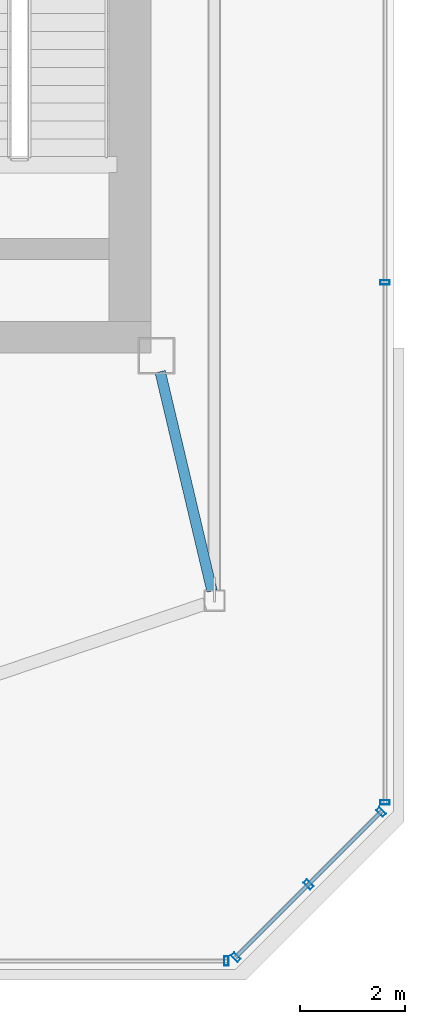
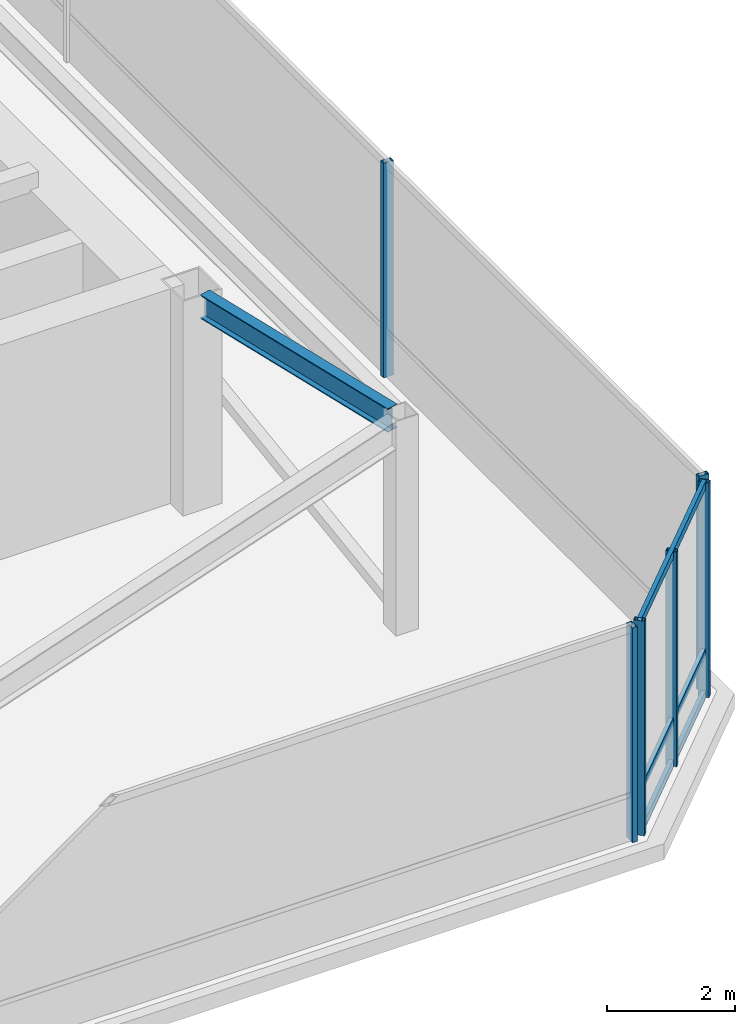
# One storey, part 10 of 21: 9 members, 1 beam, 3 elements without a shape of their own.
"""IFC4 building model written with IfcOpenShell, lengths in metres."""

from ifc_helpers import new_model, si_unit, direction, frame, origin, origin_2d, place, context, subcontext, project, spatial, hollow_rectangle, i_section, extrude, material, layer, layer_set, material_profile, profile_set, type_object, element, aggregate, save


model = new_model("IFC4")

# Units and contexts
model_context = context("Model", 3, precision=1e-05, world=origin(), true_north=direction((0.0, 1.0)))
body_context = subcontext(model_context, "Body", "Model", "MODEL_VIEW")
ifc_project = project(units=[si_unit("LENGTHUNIT", "METRE"), si_unit("AREAUNIT", "SQUARE_METRE"), si_unit("VOLUMEUNIT", "CUBIC_METRE"), si_unit("PLANEANGLEUNIT", "RADIAN"), si_unit("MASSUNIT", "GRAM", prefix="KILO")], contexts=[model_context])

# Site, building, storey
site_placement = place(None, origin())
site = spatial("IfcSite", under=ifc_project, at=site_placement, CompositionType="ELEMENT")
building_placement = place(site_placement, origin())
building = spatial("IfcBuilding", under=site, at=building_placement, Name="Tavrogorsk Clinical Tower", CompositionType="ELEMENT")
storey_placement = place(building_placement, frame((0.0, 0.0, 344.199951171875)))
storey = spatial("IfcBuildingStorey", under=building, at=storey_placement, Name="L80", CompositionType="ELEMENT", Elevation=344.199951171875)

# Curtain wall, members
ifc_material_1 = material(Name="Anodised aluminium and triple IGU glazing", Category="aluminium")
ifc_layer = layer(ifc_material_1, 0.179931640625)
ifc_layer_set = layer_set([ifc_layer], Name="Anodised aluminium and triple IGU glazing")
curtain_wall_type = type_object("IfcCurtainWallType", Name="CW5_SkyLobby", PredefinedType="NOTDEFINED", material=ifc_layer_set)
curtain_wall_1_placement = place(storey_placement, origin())
curtain_wall_1 = element("IfcCurtainWall", 1, at=curtain_wall_1_placement, inside=storey, type_object=curtain_wall_type, Name="L80 Curtain Wall CW-L80-DRUM-6", PredefinedType="NOTDEFINED")
ifc_material_2 = material(Name="Anodised aluminium alloy AW-6060", Category="aluminium")
ifc_material_profile_1 = material_profile(ifc_material_2, hollow_rectangle(XDim=0.090087890625, YDim=0.179931640625, WallThickness=0.00634765625, at=origin_2d()), Name="RHS-180x90x6.3")
ifc_profile_set_1 = profile_set([ifc_material_profile_1], Name="Anodised aluminium alloy AW-6060")
member_type_1 = type_object("IfcMemberType", Name="CwMullion_180x90", PredefinedType="MULLION", material=ifc_profile_set_1)
member_1_placement = place(storey_placement, frame((26.43994140625, -4.9580078125, 0.0), z_axis=(0.0, 0.0, 1.0), x_axis=(0.0, -1.0, 0.0)))
member_1 = element("IfcMember", 2, at=member_1_placement, type_object=member_type_1, Name="CW-L80-DRUM-6 Mullion 3", PredefinedType="MULLION", context=body_context, shape_type="SweptSolid", body=[
    extrude(hollow_rectangle(XDim=0.090087890625, YDim=0.179931640625, WallThickness=0.00634765625, at=origin_2d()), origin(), (0.0, 0.0, 1.0), 4.10009765625),
])
member_2_placement = place(storey_placement, frame((26.43994140625, -14.82861328125, 0.0), z_axis=(0.0, 0.0, 1.0), x_axis=(0.0, -1.0, 0.0)))
member_2 = element("IfcMember", 3, at=member_2_placement, type_object=member_type_1, Name="CW-L80-DRUM-6 Mullion 4", PredefinedType="MULLION", context=body_context, shape_type="SweptSolid", body=[
    extrude(hollow_rectangle(XDim=0.090087890625, YDim=0.179931640625, WallThickness=0.00634765625, at=origin_2d()), origin(), (0.0, 0.0, 1.0), 4.10009765625),
])
aggregate(curtain_wall_1, [member_1, member_2])

curtain_wall_2_placement = place(storey_placement, origin())
curtain_wall_2 = element("IfcCurtainWall", 4, at=curtain_wall_2_placement, inside=storey, type_object=curtain_wall_type, Name="L80 Curtain Wall CW-L80-DRUM-7", PredefinedType="NOTDEFINED")
member_3_placement = place(storey_placement, frame((26.36572265625, -15.008056640625, 0.0), z_axis=(0.0, 0.0, 1.0), x_axis=(-0.707106781187, -0.707106781187, 0.0)))
member_3 = element("IfcMember", 5, at=member_3_placement, type_object=member_type_1, Name="CW-L80-DRUM-7 Mullion 1", PredefinedType="MULLION", context=body_context, shape_type="SweptSolid", body=[
    extrude(hollow_rectangle(XDim=0.090087890625, YDim=0.179931640625, WallThickness=0.00634765625, at=origin_2d()), origin(), (0.0, 0.0, 1.0), 4.10009765625),
])
member_4_placement = place(storey_placement, frame((24.98681640625, -16.386962890625, 0.0), z_axis=(0.0, 0.0, 1.0), x_axis=(-0.707106781187, -0.707106781187, 0.0)))
member_4 = element("IfcMember", 6, at=member_4_placement, type_object=member_type_1, Name="CW-L80-DRUM-7 Mullion 2", PredefinedType="MULLION", context=body_context, shape_type="SweptSolid", body=[
    extrude(hollow_rectangle(XDim=0.090087890625, YDim=0.179931640625, WallThickness=0.00634765625, at=origin_2d()), origin(), (0.0, 0.0, 1.0), 4.10009765625),
])
member_5_placement = place(storey_placement, frame((23.60791015625, -17.765869140625, 0.0), z_axis=(0.0, 0.0, 1.0), x_axis=(-0.707106781187, -0.707106781187, 0.0)))
member_5 = element("IfcMember", 7, at=member_5_placement, type_object=member_type_1, Name="CW-L80-DRUM-7 Mullion 3", PredefinedType="MULLION", context=body_context, shape_type="SweptSolid", body=[
    extrude(hollow_rectangle(XDim=0.090087890625, YDim=0.179931640625, WallThickness=0.00634765625, at=origin_2d()), origin(), (0.0, 0.0, 1.0), 4.10009765625),
])

# Curtain wall, member
curtain_wall_3_placement = place(storey_placement, origin())
curtain_wall_3 = element("IfcCurtainWall", 8, at=curtain_wall_3_placement, inside=storey, type_object=curtain_wall_type, Name="L80 Curtain Wall CW-L80-DRUM-8", PredefinedType="NOTDEFINED")
member_6_placement = place(storey_placement, frame((23.4287109375, -17.840087890625, 0.0), z_axis=(0.0, 0.0, 1.0), x_axis=(-1.0, 0.0, 0.0)))
member_6 = element("IfcMember", 9, at=member_6_placement, type_object=member_type_1, Name="CW-L80-DRUM-8 Mullion 1", PredefinedType="MULLION", context=body_context, shape_type="SweptSolid", body=[
    extrude(hollow_rectangle(XDim=0.090087890625, YDim=0.179931640625, WallThickness=0.00634765625, at=origin_2d()), origin(), (0.0, 0.0, 1.0), 4.10009765625),
])
aggregate(curtain_wall_3, [member_6])

# Member
ifc_material_3 = material(Name="Anodised aluminium alloy AW-6060", Category="aluminium")
ifc_material_profile_2 = material_profile(ifc_material_3, hollow_rectangle(XDim=0.074951171875, YDim=0.14990234375, WallThickness=0.0048828125, at=origin_2d()), Name="RHS-150x75x5")
ifc_profile_set_2 = profile_set([ifc_material_profile_2], Name="Anodised aluminium alloy AW-6060")
member_type_2 = type_object("IfcMemberType", Name="CwTransom_150x75", PredefinedType="USERDEFINED", material=ifc_profile_set_2)
member_7_placement = place(storey_placement, frame((26.36572265625, -15.008056640625, 0.050048828125), z_axis=(-0.707106781187, -0.707106781187, 0.0), x_axis=(0.707106781187, -0.707106781187, 0.0)))
member_7 = element("IfcMember", 10, at=member_7_placement, type_object=member_type_2, Name="CW-L80-DRUM-7 Transom 1", ObjectType="TRANSOM", PredefinedType="USERDEFINED", context=body_context, shape_type="SweptSolid", body=[
    extrude(hollow_rectangle(XDim=0.074951171875, YDim=0.14990234375, WallThickness=0.0048828125, at=origin_2d()), origin(), (0.0, 0.0, 1.0), 3.900146484375),
])

member_8_placement = place(storey_placement, frame((26.36572265625, -15.008056640625, 0.85009765625), z_axis=(-0.707106781187, -0.707106781187, 0.0), x_axis=(0.707106781187, -0.707106781187, 0.0)))
member_8 = element("IfcMember", 11, at=member_8_placement, type_object=member_type_2, Name="CW-L80-DRUM-7 Transom 2", ObjectType="TRANSOM", PredefinedType="USERDEFINED", context=body_context, shape_type="SweptSolid", body=[
    extrude(hollow_rectangle(XDim=0.074951171875, YDim=0.14990234375, WallThickness=0.0048828125, at=origin_2d()), origin(), (0.0, 0.0, 1.0), 3.900146484375),
])

member_9_placement = place(storey_placement, frame((26.36572265625, -15.008056640625, 4.050048828125), z_axis=(-0.707106781187, -0.707106781187, 0.0), x_axis=(0.707106781187, -0.707106781187, 0.0)))
member_9 = element("IfcMember", 12, at=member_9_placement, type_object=member_type_2, Name="CW-L80-DRUM-7 Transom 3", ObjectType="TRANSOM", PredefinedType="USERDEFINED", context=body_context, shape_type="SweptSolid", body=[
    extrude(hollow_rectangle(XDim=0.074951171875, YDim=0.14990234375, WallThickness=0.0048828125, at=origin_2d()), origin(), (0.0, 0.0, 1.0), 3.900146484375),
])

aggregate(curtain_wall_2, [member_3, member_4, member_5, member_7, member_8, member_9])

# Beam
ifc_material_4 = material(Name="Structural steel S355", Category="steel")
ifc_material_profile_3 = material_profile(ifc_material_4, i_section(OverallWidth=0.199951171875, OverallDepth=0.449951171875, WebThickness=0.011474609375, FlangeThickness=0.01806640625, at=origin_2d()), Name="B-450x200x11.5x18")
ifc_profile_set_3 = profile_set([ifc_material_profile_3], Name="Structural steel S355")
beam_type = type_object("IfcBeamType", Name="FloorBeam_B450", PredefinedType="BEAM", material=ifc_profile_set_3)
beam_placement = place(storey_placement, frame((22.17138671875, -6.651611328125, 3.875), z_axis=(0.230190528398, -0.973145580392, 0.0), x_axis=(0.973145580392, 0.230190528398, 0.0)))
element("IfcBeam", 13, at=beam_placement, inside=storey, type_object=beam_type, Name="L80 Crown Radial Beam 04", PredefinedType="BEAM", context=body_context, shape_type="SweptSolid", body=[
    extrude(i_section(OverallWidth=0.199951171875, OverallDepth=0.449951171875, WebThickness=0.011474609375, FlangeThickness=0.01806640625, at=origin_2d()), origin(), (0.0, 0.0, 1.0), 4.278564453125),
])

save(model, "model.ifc")
